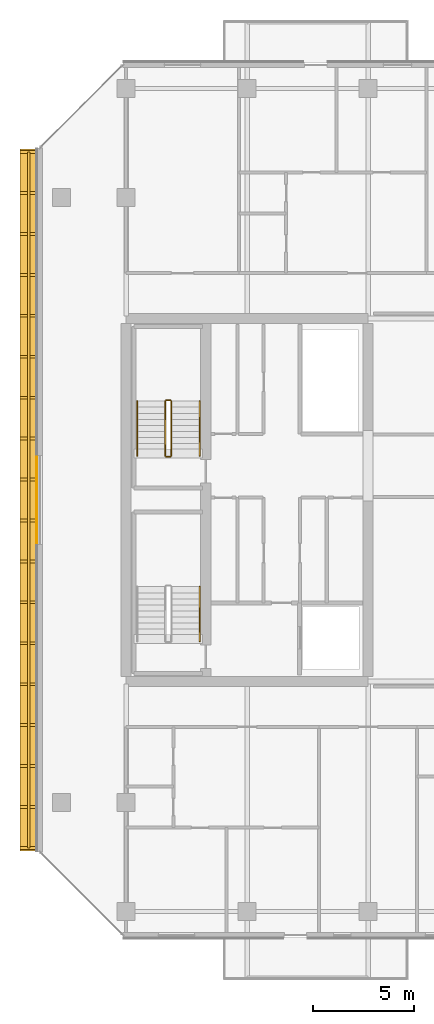
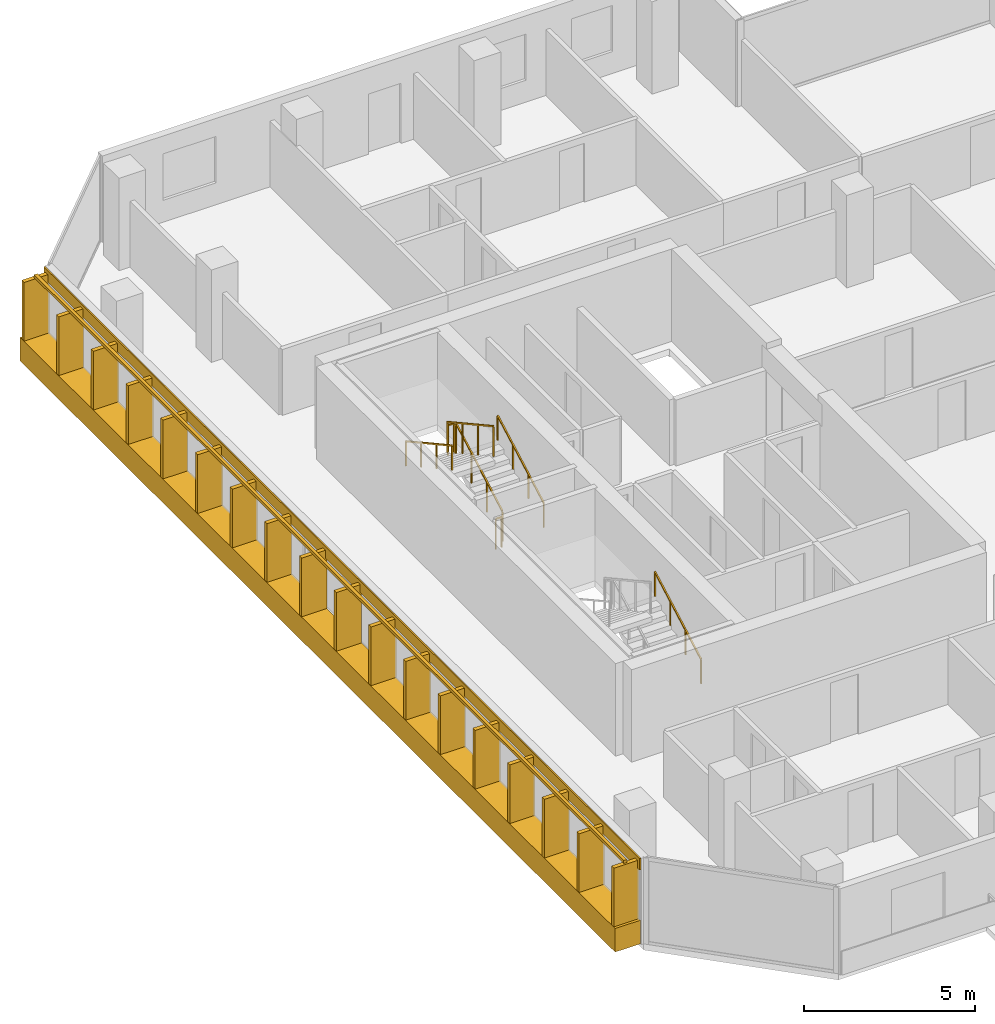
# One storey, part 27 of 29: 8 railings, 2 coverings.
"""IFC4 building model written with IfcOpenShell, lengths in metres."""

from ifc_helpers import new_model, si_unit, direction, frame, origin, origin_2d, place, context, subcontext, project, spatial, rectangle, extrude, material, layer, layer_set, type_object, element, save


model = new_model("IFC4")

# Units and contexts
model_context = context("Model", 3, precision=1e-05, world=origin(), true_north=direction((0.0, 1.0)))
body_context = subcontext(model_context, "Body", "Model", "MODEL_VIEW")
ifc_project = project(units=[si_unit("LENGTHUNIT", "METRE"), si_unit("AREAUNIT", "SQUARE_METRE"), si_unit("VOLUMEUNIT", "CUBIC_METRE"), si_unit("PLANEANGLEUNIT", "RADIAN"), si_unit("MASSUNIT", "GRAM", prefix="KILO")], contexts=[model_context])

# Site, building, storey
site_placement = place(None, origin())
site = spatial("IfcSite", under=ifc_project, at=site_placement, CompositionType="ELEMENT")
building_placement = place(site_placement, origin())
building = spatial("IfcBuilding", under=site, at=building_placement, Name="Tanjung Sevakor Pilgrim Tower", CompositionType="ELEMENT")
storey_placement = place(building_placement, frame((0.0, 0.0, 148.5)))
storey = spatial("IfcBuildingStorey", under=building, at=storey_placement, Name="L41", CompositionType="ELEMENT", Elevation=148.5)

# Coverings
ifc_material_1 = material(Name="Reconstructed Limestone Cladding", Category="masonry")
ifc_layer = layer(ifc_material_1, 0.044921875)
ifc_layer_set = layer_set([ifc_layer], Name="COV-CLAD-LIMESTONE")
covering_type = type_object("IfcCoveringType", Name="COV-CLAD-LIMESTONE", PredefinedType="CLADDING", material=ifc_layer_set)
covering_1_placement = place(storey_placement, frame((19.169921875, 33.60009765625, 0.009765625), z_axis=(0.0, 0.0, 1.0), x_axis=(0.0, -1.0, 0.0)))
element("IfcCovering", 1, at=covering_1_placement, inside=storey, type_object=covering_type, Name="L41 Warm Limestone Sill Spandrel EW-L41-MAIN-15-1", PredefinedType="CLADDING", context=body_context, shape_type="SweptSolid", body=[
    extrude(rectangle(XDim=34.81640625, YDim=0.860107421875, at=origin_2d()), origin(), (0.0, 0.0, 1.0), 0.840087890625),
])
covering_2_placement = place(storey_placement, frame((19.577392578125, 33.60009765625, 2.66015625), z_axis=(0.0, 0.0, 1.0), x_axis=(0.0, -1.0, 0.0)))
element("IfcCovering", 2, at=covering_2_placement, inside=storey, type_object=covering_type, Name="L41 Warm Limestone Cornice Spandrel EW-L41-MAIN-15", PredefinedType="CLADDING", context=body_context, shape_type="SweptSolid", body=[
    extrude(rectangle(XDim=34.8564453125, YDim=0.044921875, at=origin_2d()), origin(), (0.0, 0.0, 1.0), 0.409912109375),
])

# Railings
ifc_material_2 = material(Name="Anodised Bronze Aluminium 6063-T6", Category="aluminium")
railing_type_1 = type_object("IfcRailingType", Name="RL-FIN-SCREEN", PredefinedType="BALUSTRADE", material=ifc_material_2)
railing_1_placement = place(storey_placement, frame((19.175048828125, 50.84814453125, 0.840087890625)))
element("IfcRailing", 3, at=railing_1_placement, inside=storey, type_object=railing_type_1, Name="L41 Vertical Bronze-Gold Solar Fin Screen FNEND-EW-L41-MAIN-15-1", PredefinedType="BALUSTRADE", context=body_context, shape_type="SweptSolid", body=[
    extrude(rectangle(XDim=0.105, YDim=0.105), frame((0.0, 0.0, 2.157470703125), z_axis=(0.0, -1.0, 0.0), x_axis=(1.0, 0.0, 0.0)), (0.0, 0.0, 1.0), 34.496337890625),
    extrude(rectangle(XDim=0.85, YDim=0.14), origin(), (0.0, 0.0, 1.0), 2.10498046875),
    extrude(rectangle(XDim=0.85, YDim=0.14), frame((0.0, -2.029296875, 0.0)), (0.0, 0.0, 1.0), 2.10498046875),
    extrude(rectangle(XDim=0.85, YDim=0.14), frame((0.0, -4.058349609375, 0.0)), (0.0, 0.0, 1.0), 2.10498046875),
    extrude(rectangle(XDim=0.85, YDim=0.14), frame((0.0, -6.087646484375, 0.0)), (0.0, 0.0, 1.0), 2.10498046875),
    extrude(rectangle(XDim=0.85, YDim=0.14), frame((0.0, -8.11669921875, 0.0)), (0.0, 0.0, 1.0), 2.10498046875),
    extrude(rectangle(XDim=0.85, YDim=0.14), frame((0.0, -10.14599609375, 0.0)), (0.0, 0.0, 1.0), 2.10498046875),
    extrude(rectangle(XDim=0.85, YDim=0.14), frame((0.0, -12.17529296875, 0.0)), (0.0, 0.0, 1.0), 2.10498046875),
    extrude(rectangle(XDim=0.85, YDim=0.14), frame((0.0, -14.204345703125, 0.0)), (0.0, 0.0, 1.0), 2.10498046875),
    extrude(rectangle(XDim=0.85, YDim=0.14), frame((0.0, -16.233642578125, 0.0)), (0.0, 0.0, 1.0), 2.10498046875),
    extrude(rectangle(XDim=0.85, YDim=0.14), frame((0.0, -18.2626953125, 0.0)), (0.0, 0.0, 1.0), 2.10498046875),
    extrude(rectangle(XDim=0.85, YDim=0.14), frame((0.0, -20.2919921875, 0.0)), (0.0, 0.0, 1.0), 2.10498046875),
    extrude(rectangle(XDim=0.85, YDim=0.14), frame((0.0, -22.321044921875, 0.0)), (0.0, 0.0, 1.0), 2.10498046875),
    extrude(rectangle(XDim=0.85, YDim=0.14), frame((0.0, -24.350341796875, 0.0)), (0.0, 0.0, 1.0), 2.10498046875),
    extrude(rectangle(XDim=0.85, YDim=0.14), frame((0.0, -26.379638671875, 0.0)), (0.0, 0.0, 1.0), 2.10498046875),
    extrude(rectangle(XDim=0.85, YDim=0.14), frame((0.0, -28.40869140625, 0.0)), (0.0, 0.0, 1.0), 2.10498046875),
    extrude(rectangle(XDim=0.85, YDim=0.14), frame((0.0, -30.43798828125, 0.0)), (0.0, 0.0, 1.0), 2.10498046875),
    extrude(rectangle(XDim=0.85, YDim=0.14), frame((0.0, -32.467041015625, 0.0)), (0.0, 0.0, 1.0), 2.10498046875),
    extrude(rectangle(XDim=0.85, YDim=0.14), frame((0.0, -34.496337890625, 0.0)), (0.0, 0.0, 1.0), 2.10498046875),
])
ifc_material_3 = material(Name="Steel S355J2", Category="steel")
railing_type_2 = type_object("IfcRailingType", Name="RL-STAIR-GUARD", PredefinedType="GUARDRAIL", material=ifc_material_3)
railing_2_placement = place(storey_placement, frame((26.25, 35.800048828125, 0.1650390625)))
element("IfcRailing", 4, at=railing_2_placement, inside=storey, type_object=railing_type_2, Name="L41 TS-W2 stair guard 1", PredefinedType="GUARDRAIL", context=body_context, shape_type="SweptSolid", body=[
    extrude(rectangle(XDim=0.0479, YDim=0.0479), frame((0.0, 0.0, 1.076171875), z_axis=(0.0, 0.876230963923, 0.481891375584), x_axis=(-1.0, 0.0, 0.0)), (0.0, 0.0, 1.0), 3.081298828125),
    extrude(rectangle(XDim=0.042, YDim=0.042), origin(), (0.0, 0.0, 1.0), 1.052001953125),
    extrude(rectangle(XDim=0.042, YDim=0.042), frame((0.0, 0.89990234375, 0.494873046875)), (0.0, 0.0, 1.0), 1.052001953125),
    extrude(rectangle(XDim=0.042, YDim=0.042), frame((0.0, 1.800048828125, 0.989990234375)), (0.0, 0.0, 1.0), 1.052001953125),
    extrude(rectangle(XDim=0.042, YDim=0.042), frame((0.0, 2.699951171875, 1.48486328125)), (0.0, 0.0, 1.0), 1.052001953125),
])
railing_3_placement = place(storey_placement, frame((26.199951171875, 38.550048828125, 1.64990234375)))
element("IfcRailing", 5, at=railing_3_placement, inside=storey, type_object=railing_type_2, Name="L41 TS-W2 stair guard 2", PredefinedType="GUARDRAIL", context=body_context, shape_type="SweptSolid", body=[
    extrude(rectangle(XDim=0.0479, YDim=0.0479), frame((0.0, 0.0, 1.076171875), z_axis=(-1.0, 0.0, 0.0), x_axis=(0.0, -1.0, 0.0)), (0.0, 0.0, 1.0), 0.199951171875),
    extrude(rectangle(XDim=0.042, YDim=0.042), origin(), (0.0, 0.0, 1.0), 1.052001953125),
    extrude(rectangle(XDim=0.042, YDim=0.042), frame((-0.199951171875, 0.0, 0.0)), (0.0, 0.0, 1.0), 1.052001953125),
])
railing_4_placement = place(storey_placement, frame((25.949951171875, 38.5, 1.81494140625)))
element("IfcRailing", 6, at=railing_4_placement, inside=storey, type_object=railing_type_2, Name="L41 TS-W2 stair guard 3", PredefinedType="GUARDRAIL", context=body_context, shape_type="SweptSolid", body=[
    extrude(rectangle(XDim=0.0479, YDim=0.0479), frame((0.0, 0.0, 1.076171875), z_axis=(0.0, -0.876197507361, 0.481952205197), x_axis=(1.0, 0.0, 0.0)), (0.0, 0.0, 1.0), 3.08154296875),
    extrude(rectangle(XDim=0.042, YDim=0.042), origin(), (0.0, 0.0, 1.0), 1.052001953125),
    extrude(rectangle(XDim=0.042, YDim=0.042), frame((0.0, -0.89990234375, 0.4951171875)), (0.0, 0.0, 1.0), 1.052001953125),
    extrude(rectangle(XDim=0.042, YDim=0.042), frame((0.0, -1.800048828125, 0.989990234375)), (0.0, 0.0, 1.0), 1.052001953125),
    extrude(rectangle(XDim=0.042, YDim=0.042), frame((0.0, -2.699951171875, 1.485107421875)), (0.0, 0.0, 1.0), 1.052001953125),
])
railing_5_placement = place(storey_placement, frame((26.199951171875, 35.75, 0.0)))
element("IfcRailing", 7, at=railing_5_placement, inside=storey, type_object=railing_type_2, Name="L41 TS-W2 stair guard 4", PredefinedType="GUARDRAIL", context=body_context, shape_type="SweptSolid", body=[
    extrude(rectangle(XDim=0.0479, YDim=0.0479), frame((0.0, 0.0, 1.076171875), z_axis=(-1.0, 0.0, 0.0), x_axis=(0.0, -1.0, 0.0)), (0.0, 0.0, 1.0), 0.199951171875),
    extrude(rectangle(XDim=0.042, YDim=0.042), origin(), (0.0, 0.0, 1.0), 1.052001953125),
    extrude(rectangle(XDim=0.042, YDim=0.042), frame((-0.199951171875, 0.0, 0.0)), (0.0, 0.0, 1.0), 1.052001953125),
])
ifc_material_4 = material(Name="Steel S355J2", Category="steel")
railing_type_3 = type_object("IfcRailingType", Name="RL-STAIR-HAND", PredefinedType="HANDRAIL", material=ifc_material_4)
for number, where, name in (
    (8, (27.64990234375, 26.60009765625, 0.1650390625), "L41 TS-W1 stair handrail 1"),
    (9, (27.64990234375, 35.800048828125, 0.1650390625), "L41 TS-W2 stair handrail 1"),
):
    element("IfcRailing", number, at=place(storey_placement, frame(where)), inside=storey, type_object=railing_type_3, Name=name, PredefinedType="HANDRAIL", context=body_context, shape_type="SweptSolid", body=[
        extrude(rectangle(XDim=0.0479, YDim=0.0479), frame((0.0, 0.0, 0.8759765625), z_axis=(0.0, 0.876230963923, 0.481891375584), x_axis=(-1.0, 0.0, 0.0)), (0.0, 0.0, 1.0), 3.081298828125),
        extrude(rectangle(XDim=0.042, YDim=0.042), origin(), (0.0, 0.0, 1.0), 0.851806640625),
        extrude(rectangle(XDim=0.042, YDim=0.042), frame((0.0, 0.89990234375, 0.494873046875)), (0.0, 0.0, 1.0), 0.851806640625),
        extrude(rectangle(XDim=0.042, YDim=0.042), frame((0.0, 1.800048828125, 0.989990234375)), (0.0, 0.0, 1.0), 0.851806640625),
        extrude(rectangle(XDim=0.042, YDim=0.042), frame((0.0, 2.699951171875, 1.48486328125)), (0.0, 0.0, 1.0), 0.851806640625),
    ])
railing_6_placement = place(storey_placement, frame((24.550048828125, 38.5, 1.81494140625)))
element("IfcRailing", 10, at=railing_6_placement, inside=storey, type_object=railing_type_3, Name="L41 TS-W2 stair handrail 2", PredefinedType="HANDRAIL", context=body_context, shape_type="SweptSolid", body=[
    extrude(rectangle(XDim=0.0479, YDim=0.0479), frame((0.0, 0.0, 0.8759765625), z_axis=(0.0, -0.876197507361, 0.481952205197), x_axis=(1.0, 0.0, 0.0)), (0.0, 0.0, 1.0), 3.08154296875),
    extrude(rectangle(XDim=0.042, YDim=0.042), origin(), (0.0, 0.0, 1.0), 0.851806640625),
    extrude(rectangle(XDim=0.042, YDim=0.042), frame((0.0, -0.89990234375, 0.4951171875)), (0.0, 0.0, 1.0), 0.851806640625),
    extrude(rectangle(XDim=0.042, YDim=0.042), frame((0.0, -1.800048828125, 0.989990234375)), (0.0, 0.0, 1.0), 0.851806640625),
    extrude(rectangle(XDim=0.042, YDim=0.042), frame((0.0, -2.699951171875, 1.485107421875)), (0.0, 0.0, 1.0), 0.851806640625),
])

save(model, "model.ifc")
